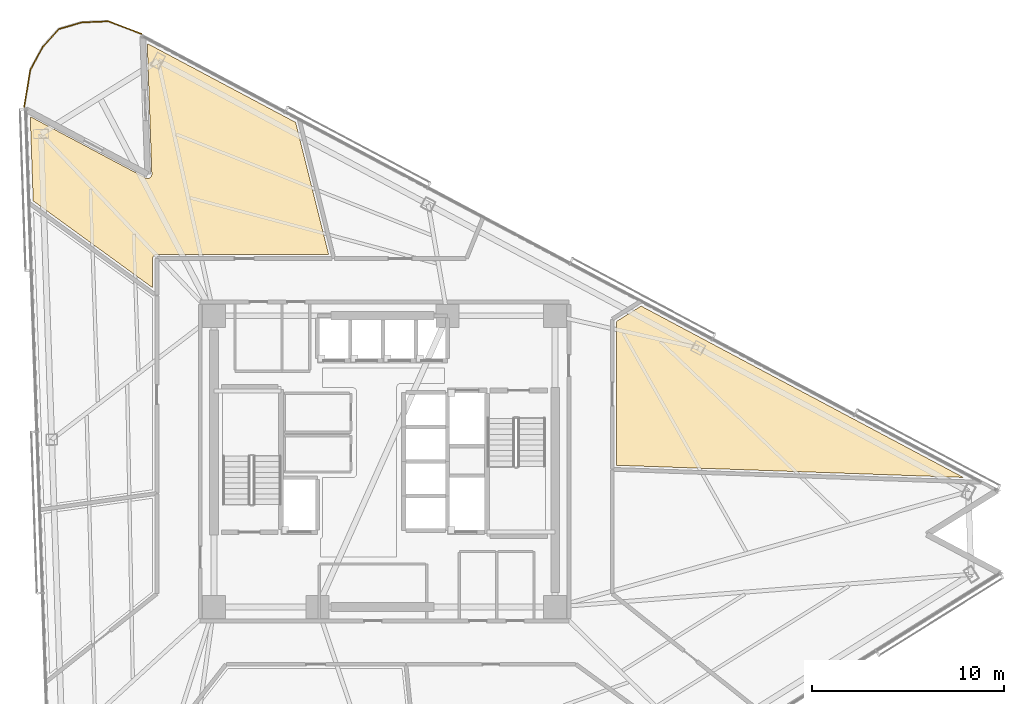
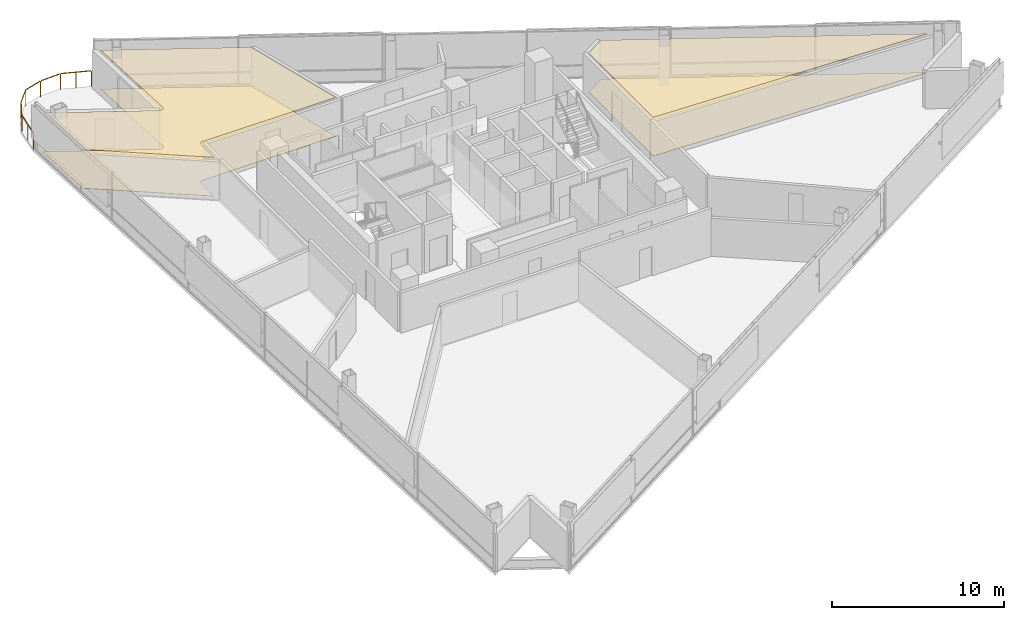
# One storey, part 20 of 20: 4 coverings, 1 railing.
"""IFC4 building model written with IfcOpenShell, lengths in metres."""

from ifc_helpers import new_model, si_unit, direction, frame, origin, origin_2d, place, context, subcontext, project, spatial, polyline, rectangle, outline, extrude, material, layer, layer_set, type_object, element, save


model = new_model("IFC4")

# Units and contexts
model_context = context("Model", 3, precision=1e-05, world=origin(), true_north=direction((0.0, 1.0)))
body_context = subcontext(model_context, "Body", "Model", "MODEL_VIEW")
ifc_project = project(units=[si_unit("LENGTHUNIT", "METRE"), si_unit("AREAUNIT", "SQUARE_METRE"), si_unit("VOLUMEUNIT", "CUBIC_METRE"), si_unit("PLANEANGLEUNIT", "RADIAN"), si_unit("MASSUNIT", "GRAM", prefix="KILO")], contexts=[model_context])

# Site, building, storey
site_placement = place(None, origin())
site = spatial("IfcSite", under=ifc_project, at=site_placement, CompositionType="ELEMENT")
building_placement = place(site_placement, origin())
building = spatial("IfcBuilding", under=site, at=building_placement, Name="Tharavind Bronze Gate", CompositionType="ELEMENT")
storey_placement = place(building_placement, frame((0.0, 0.0, 146.0)))
storey = spatial("IfcBuildingStorey", under=building, at=storey_placement, Name="L37", CompositionType="ELEMENT", Elevation=146.0)

# Coverings
ifc_material_1 = material(Name="Perforated Bronze Acoustic Panel", Category="bronze")
ifc_layer_1 = layer(ifc_material_1, 0.044921875)
ifc_layer_set_1 = layer_set([ifc_layer_1], Name="Perforated Bronze Acoustic Panel")
covering_type_1 = type_object("IfcCoveringType", Name="ACOUSTIC BRONZE BAFFLE CEILING", PredefinedType="CEILING", material=ifc_layer_set_1)
covering_1_placement = place(storey_placement, frame((0.0, 0.0, 2.75)))
element("IfcCovering", 1, at=covering_1_placement, inside=storey, type_object=covering_type_1, Name="L37-RM-08 suspended ceiling", PredefinedType="CEILING", context=body_context, shape_type="SweptSolid", body=[
    extrude(outline(polyline([(30.201416015625, -0.83447265625), (13.38720703125, 8.105712890625), (12.10009765625, 7.301513671875), (12.10009765625, -0.202392578125), (30.201416015625, -0.83447265625)])), origin(), (0.0, 0.0, 1.0), 0.034912109375),
])
ifc_material_2 = material(Name="Engineered Oak & Carpet Tile", Category="wood")
ifc_layer_2 = layer(ifc_material_2, 0.02490234375)
ifc_layer_set_2 = layer_set([ifc_layer_2], Name="Engineered Oak & Carpet Tile")
covering_type_2 = type_object("IfcCoveringType", Name="ENGINEERED TIMBER FLOORING", PredefinedType="FLOORING", material=ifc_layer_set_2)
covering_2_placement = place(storey_placement, origin())
element("IfcCovering", 2, at=covering_2_placement, inside=storey, type_object=covering_type_2, Name="L37-RM-02 floor finish", PredefinedType="FLOORING", context=body_context, shape_type="SweptSolid", body=[
    extrude(outline(polyline([(-18.3330078125, 13.591552734375), (-12.10009765625, 9.06298828125), (-12.10009765625, 10.579345703125), (-12.099609375, 10.590087890625), (-12.099609375, 10.5908203125), (-12.09765625, 10.6123046875), (-12.093505859375, 10.63330078125), (-12.087158203125, 10.654052734375), (-12.078857421875, 10.674072265625), (-12.068603515625, 10.693115234375), (-12.056640625, 10.7109375), (-12.04296875, 10.727783203125), (-12.027587890625, 10.742919921875), (-12.010986328125, 10.756591796875), (-11.9931640625, 10.768798828125), (-11.97412109375, 10.77880859375), (-11.9541015625, 10.787109375), (-11.933349609375, 10.79345703125), (-11.912353515625, 10.797607421875), (-11.890869140625, 10.7998046875), (-11.89013671875, 10.7998046875), (-11.87939453125, 10.800048828125), (-2.91943359375, 10.800048828125), (-4.63720703125, 17.689453125), (-12.380615234375, 21.806884765625), (-12.142822265625, 14.99267578125), (-12.142578125, 14.981689453125), (-12.142578125, 14.981201171875), (-12.14404296875, 14.959228515625), (-12.147705078125, 14.9375), (-12.1533203125, 14.91650390625), (-12.1611328125, 14.89599609375), (-12.1708984375, 14.876220703125), (-12.1826171875, 14.857666015625), (-12.1962890625, 14.84033203125), (-12.21142578125, 14.82470703125), (-12.22802734375, 14.810302734375), (-12.24609375, 14.7978515625), (-12.26513671875, 14.787109375), (-12.285400390625, 14.7783203125), (-12.30615234375, 14.771728515625), (-12.32763671875, 14.76708984375), (-12.349609375, 14.7646484375), (-12.371337890625, 14.764404296875), (-12.393310546875, 14.7666015625), (-12.414794921875, 14.7705078125), (-12.435791015625, 14.77685546875), (-12.4560546875, 14.78515625), (-12.45654296875, 14.785400390625), (-12.46630859375, 14.790283203125), (-18.486572265625, 17.991455078125), (-18.3330078125, 13.591552734375)])), origin(), (0.0, 0.0, 1.0), 0.02490234375),
])
covering_3_placement = place(storey_placement, origin())
element("IfcCovering", 3, at=covering_3_placement, inside=storey, type_object=covering_type_2, Name="L37-RM-08 floor finish", PredefinedType="FLOORING", context=body_context, shape_type="SweptSolid", body=[
    extrude(outline(polyline([(30.201416015625, -0.83447265625), (13.38720703125, 8.105712890625), (12.10009765625, 7.301513671875), (12.10009765625, -0.202392578125), (30.201416015625, -0.83447265625)])), origin(), (0.0, 0.0, 1.0), 0.02490234375),
])
ifc_material_3 = material(Name="Acoustic Gypsum Board", Category="gypsum")
ifc_layer_3 = layer(ifc_material_3, 0.030029296875)
ifc_layer_set_3 = layer_set([ifc_layer_3], Name="Acoustic Gypsum Board")
covering_type_3 = type_object("IfcCoveringType", Name="GYPSUM SUSPENDED CEILING", PredefinedType="CEILING", material=ifc_layer_set_3)
covering_4_placement = place(storey_placement, frame((0.0, 0.0, 2.75)))
element("IfcCovering", 4, at=covering_4_placement, inside=storey, type_object=covering_type_3, Name="L37-RM-02 suspended ceiling", PredefinedType="CEILING", context=body_context, shape_type="SweptSolid", body=[
    extrude(outline(polyline([(-18.3330078125, 13.591552734375), (-12.10009765625, 9.06298828125), (-12.10009765625, 10.579345703125), (-12.099609375, 10.590087890625), (-12.099609375, 10.5908203125), (-12.09765625, 10.6123046875), (-12.093505859375, 10.63330078125), (-12.087158203125, 10.654052734375), (-12.078857421875, 10.674072265625), (-12.068603515625, 10.693115234375), (-12.056640625, 10.7109375), (-12.04296875, 10.727783203125), (-12.027587890625, 10.742919921875), (-12.010986328125, 10.756591796875), (-11.9931640625, 10.768798828125), (-11.97412109375, 10.77880859375), (-11.9541015625, 10.787109375), (-11.933349609375, 10.79345703125), (-11.912353515625, 10.797607421875), (-11.890869140625, 10.7998046875), (-11.89013671875, 10.7998046875), (-11.87939453125, 10.800048828125), (-2.91943359375, 10.800048828125), (-4.63720703125, 17.689453125), (-12.380615234375, 21.806884765625), (-12.142822265625, 14.99267578125), (-12.142578125, 14.981689453125), (-12.142578125, 14.981201171875), (-12.14404296875, 14.959228515625), (-12.147705078125, 14.9375), (-12.1533203125, 14.91650390625), (-12.1611328125, 14.89599609375), (-12.1708984375, 14.876220703125), (-12.1826171875, 14.857666015625), (-12.1962890625, 14.84033203125), (-12.21142578125, 14.82470703125), (-12.22802734375, 14.810302734375), (-12.24609375, 14.7978515625), (-12.26513671875, 14.787109375), (-12.285400390625, 14.7783203125), (-12.30615234375, 14.771728515625), (-12.32763671875, 14.76708984375), (-12.349609375, 14.7646484375), (-12.371337890625, 14.764404296875), (-12.393310546875, 14.7666015625), (-12.414794921875, 14.7705078125), (-12.435791015625, 14.77685546875), (-12.4560546875, 14.78515625), (-12.45654296875, 14.785400390625), (-12.46630859375, 14.790283203125), (-18.486572265625, 17.991455078125), (-18.3330078125, 13.591552734375)])), origin(), (0.0, 0.0, 1.0), 0.034912109375),
])

# Railing
ifc_material_4 = material(Name="Bronze Cap & Laminated Glass", Category="glass")
railing_type = type_object("IfcRailingType", Name="TERRACE GLASS GUARD RAILING 1150", PredefinedType="GUARDRAIL", material=ifc_material_4)
railing_placement = place(storey_placement, frame((-18.8046875, 18.500244140625, 0.0)))
element("IfcRailing", 5, at=railing_placement, inside=storey, type_object=railing_type, Name="L37 tree balcony guard railing", PredefinedType="GUARDRAIL", context=body_context, shape_type="SweptSolid", body=[
    extrude(rectangle(XDim=0.048095703125, YDim=0.048095703125, at=origin_2d()), frame((0.00537109375, 0.031494140625, 1.1259765625), z_axis=(0.164195729353, 0.986427778635, 0.0), x_axis=(-0.986427778635, 0.164195729353, 0.0)), (0.0, 0.0, 1.0), 1.8837890625),
    extrude(rectangle(XDim=0.048095703125, YDim=0.048095703125, at=origin_2d()), frame((0.3349609375, 1.949462890625, 1.1259765625), z_axis=(0.475354278584, 0.879794470221, 0.0), x_axis=(-0.879794470221, 0.475354278584, 0.0)), (0.0, 0.0, 1.0), 1.316650390625),
    extrude(rectangle(XDim=0.048095703125, YDim=0.048095703125, at=origin_2d()), frame((0.99755859375, 3.15966796875, 1.1259765625), z_axis=(0.672721531805, 0.739895763365, 0.0), x_axis=(-0.739895763365, 0.672721531805, 0.0)), (0.0, 0.0, 1.0), 1.1826171875),
    extrude(rectangle(XDim=0.048095703125, YDim=0.048095703125, at=origin_2d()), frame((1.845458984375, 4.0673828125, 1.1259765625), z_axis=(0.959866084935, 0.280458729571, 0.0), x_axis=(-0.280458729571, 0.959866084935, 0.0)), (0.0, 0.0, 1.0), 1.1826171875),
    extrude(rectangle(XDim=0.048095703125, YDim=0.048095703125, at=origin_2d()), frame((3.043212890625, 4.4091796875, 1.1259765625), z_axis=(0.999143462148, 0.041380454892, 0.0), x_axis=(-0.041380454892, 0.999143462148, 0.0)), (0.0, 0.0, 1.0), 1.316650390625),
    extrude(rectangle(XDim=0.048095703125, YDim=0.048095703125, at=origin_2d()), frame((4.420654296875, 4.453857421875, 1.1259765625), z_axis=(0.935175477512, -0.354184734651, 0.0), x_axis=(0.354184734651, 0.935175477512, 0.0)), (0.0, 0.0, 1.0), 1.770263671875),
    extrude(rectangle(XDim=0.0400390625, YDim=0.0400390625, at=origin_2d()), origin(), (0.0, 0.0, 1.0), 1.097900390625),
    extrude(rectangle(XDim=0.0400390625, YDim=0.0400390625, at=origin_2d()), frame((0.159912109375, 0.960693359375, 0.0)), (0.0, 0.0, 1.0), 1.097900390625),
    extrude(rectangle(XDim=0.0400390625, YDim=0.0400390625, at=origin_2d()), frame((0.31982421875, 1.92138671875, 0.0)), (0.0, 0.0, 1.0), 1.097900390625),
    extrude(rectangle(XDim=0.0400390625, YDim=0.0400390625, at=origin_2d()), frame((0.97607421875, 3.135986328125, 0.0)), (0.0, 0.0, 1.0), 1.097900390625),
    extrude(rectangle(XDim=0.0400390625, YDim=0.0400390625, at=origin_2d()), frame((1.814697265625, 4.058349609375, 0.0)), (0.0, 0.0, 1.0), 1.097900390625),
    extrude(rectangle(XDim=0.0400390625, YDim=0.0400390625, at=origin_2d()), frame((3.01123046875, 4.407958984375, 0.0)), (0.0, 0.0, 1.0), 1.097900390625),
    extrude(rectangle(XDim=0.0400390625, YDim=0.0400390625, at=origin_2d()), frame((4.390625, 4.465087890625, 0.0)), (0.0, 0.0, 1.0), 1.097900390625),
    extrude(rectangle(XDim=0.0400390625, YDim=0.0400390625, at=origin_2d()), frame((5.248291015625, 4.14013671875, 0.0)), (0.0, 0.0, 1.0), 1.097900390625),
    extrude(rectangle(XDim=0.0400390625, YDim=0.0400390625, at=origin_2d()), frame((6.10595703125, 3.8154296875, 0.0)), (0.0, 0.0, 1.0), 1.097900390625),
])

save(model, "model.ifc")
